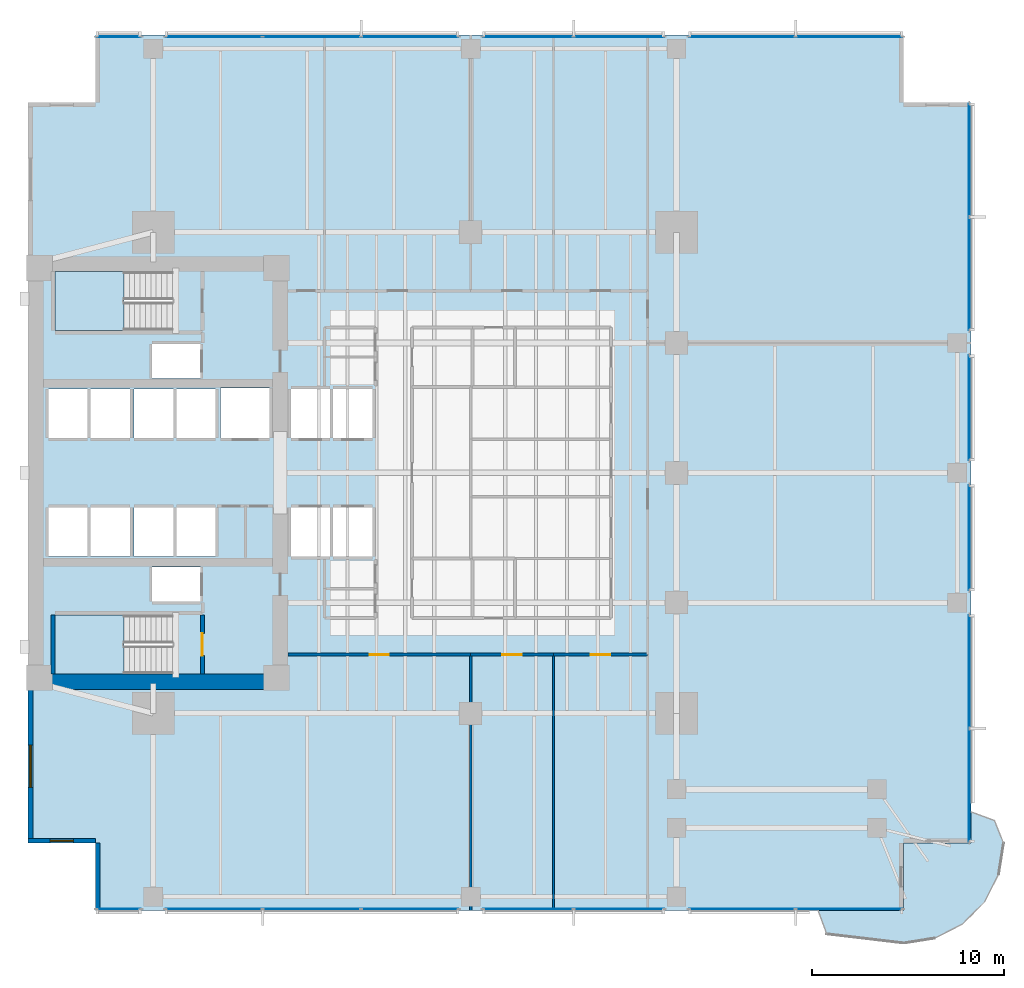
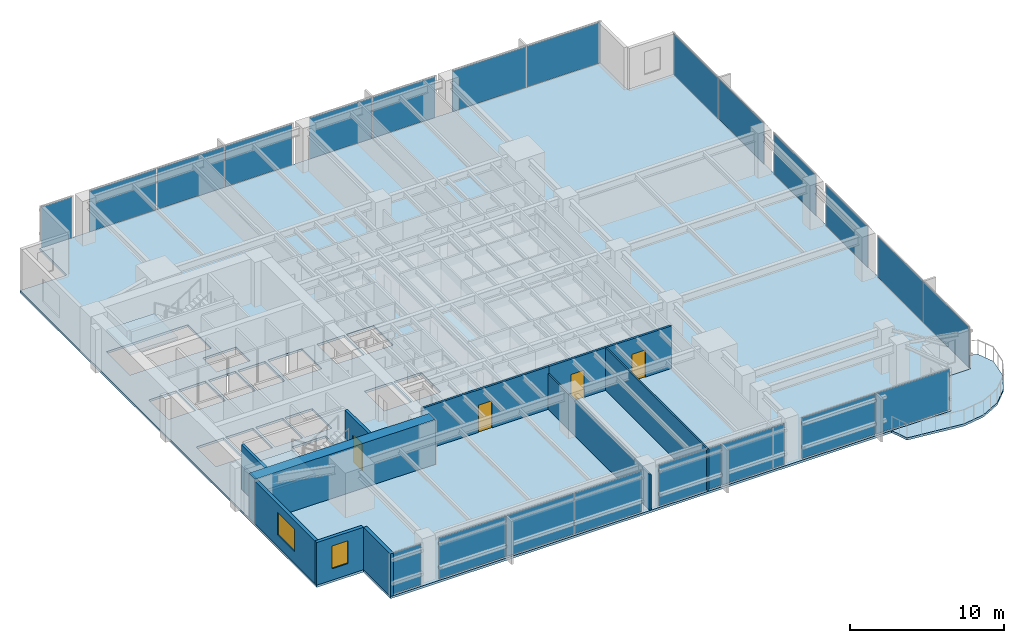
# One storey, part 7 of 15: 22 plates, 11 walls, 4 doors, 4 slabs, 2 windows, 6 openings, 14 elements without a shape of their own.
"""IFC4 building model written with IfcOpenShell, lengths in metres."""

import ifcopenshell
import ifcopenshell.guid

model = None  # the IFC model being written
_history = None  # IfcOwnerHistory: only IFC2X3 demands one
_inside = {}  # id of a spatial element -> (the spatial element, [elements in it])
_under = {}  # id of a project, library or spatial element -> (it, [spatial elements below it])
_declared = {}  # id of a project -> (the project, [libraries it declares])
_typed = {}  # id of a type object -> (the type object, [elements of that type])
_made_of = {}  # id of a material, layer set ... -> (it, [elements and type objects made of it])


def new_model(schema):
    """Start an empty IFC model of exactly this schema.

    Asked for "IFC4X3", IfcOpenShell would pick the latest addendum, in which some entities
    have other attributes; the version numbers below select the first issue.
    IFC2X3 requires an IfcOwnerHistory on every rooted entity: one is made here for all.
    """
    global model, _history
    if schema == "IFC4X3":
        model = ifcopenshell.file(schema_version=(4, 3, 0, 0))
    else:
        model = ifcopenshell.file(schema=schema)
    _inside.clear()
    _under.clear()
    _declared.clear()
    _typed.clear()
    _made_of.clear()
    _history = None
    if model.schema == "IFC2X3":
        org = make("IfcOrganization", Name="unknown")
        user = make(
            "IfcPersonAndOrganization",
            ThePerson=make("IfcPerson", FamilyName="unknown"),
            TheOrganization=org,
        )
        app = make(
            "IfcApplication",
            ApplicationDeveloper=org,
            Version="unknown",
            ApplicationFullName="unknown",
            ApplicationIdentifier="unknown",
        )
        _history = make(
            "IfcOwnerHistory",
            OwningUser=user,
            OwningApplication=app,
            ChangeAction="ADDED",
            CreationDate=0,
        )
    return model


def make(cls, **values):
    """One entity of the class cls with the attributes given. An attribute that is None is left unset."""
    return model.create_entity(
        cls, **{name: value for name, value in values.items() if value is not None}
    )


def rooted(cls, **values):
    """An entity with a GlobalId (a new one), such as an element, a storey or a relation."""
    return make(cls, GlobalId=ifcopenshell.guid.new(), OwnerHistory=_history, **values)


def si_unit(unit_type, name, prefix=None):
    """IfcSIUnit, for example si_unit("LENGTHUNIT", "METRE", prefix="MILLI")."""
    return make("IfcSIUnit", UnitType=unit_type, Prefix=prefix, Name=name)


def assignment(units):
    """IfcUnitAssignment: the units of a project."""
    return None if units is None else make("IfcUnitAssignment", Units=units)


def point(xyz):
    """IfcCartesianPoint."""
    return None if xyz is None else make("IfcCartesianPoint", Coordinates=xyz)


def direction(xyz):
    """IfcDirection."""
    return None if xyz is None else make("IfcDirection", DirectionRatios=xyz)


def frame(location, z_axis=None, x_axis=None):
    """IfcAxis2Placement3D, a coordinate frame: its origin and axes. An axis left out is left unset."""
    return make(
        "IfcAxis2Placement3D",
        Location=point(location),
        Axis=direction(z_axis),
        RefDirection=direction(x_axis),
    )


def frame_2d(location, x_axis=None):
    """IfcAxis2Placement2D, a coordinate frame in the plane: its origin and x axis."""
    return make(
        "IfcAxis2Placement2D", Location=point(location), RefDirection=direction(x_axis)
    )


def origin():
    """The frame at (0, 0, 0) with its axes left unset."""
    return frame((0.0, 0.0, 0.0))


def origin_2d():
    """The frame at (0, 0) in the plane with its x axis left unset."""
    return frame_2d((0.0, 0.0))


def place(relative_to, where):
    """IfcLocalPlacement: puts the frame where relative to a parent placement (None: the world)."""
    return make(
        "IfcLocalPlacement", PlacementRelTo=relative_to, RelativePlacement=where
    )


def context(
    kind, dimensions, precision=None, world=None, true_north=None, identifier=None
):
    """IfcGeometricRepresentationContext, for example the 3D "Model" context."""
    return make(
        "IfcGeometricRepresentationContext",
        ContextIdentifier=identifier,
        ContextType=kind,
        CoordinateSpaceDimension=dimensions,
        Precision=precision,
        WorldCoordinateSystem=world,
        TrueNorth=true_north,
    )


def subcontext(parent, identifier, kind, view, scale=None):
    """IfcGeometricRepresentationSubContext, for example "Body" below "Model"."""
    return make(
        "IfcGeometricRepresentationSubContext",
        ContextIdentifier=identifier,
        ContextType=kind,
        ParentContext=parent,
        TargetScale=scale,
        TargetView=view,
    )


def project(units=None, contexts=None):
    """IfcProject with its units and contexts."""
    return rooted(
        "IfcProject",
        Name="project",
        RepresentationContexts=contexts,
        UnitsInContext=assignment(units),
    )


def spatial(cls, under=None, at=None, **own):
    """A site, building, storey or space (cls), placed at a placement, below another one or the project."""
    s = rooted(cls, ObjectPlacement=at, **own)
    if under is not None:
        _under.setdefault(under.id(), (under, []))[1].append(s)
    return s


def polyline(points):
    """IfcPolyline through the points."""
    return make("IfcPolyline", Points=[point(p) for p in points])


def profile(cls, at=None, kind="AREA", **sizes):
    """A parametric profile (cls). Its sizes go by their IFC names, for example OverallWidth=200.0."""
    return make(cls, ProfileType=kind, Position=at, **sizes)


def rectangle(**sizes):
    """IfcRectangleProfileDef."""
    return profile("IfcRectangleProfileDef", **sizes)


def outline(outer, holes=None, kind="AREA"):
    """IfcArbitraryClosedProfileDef: a profile drawn as a closed curve; with holes, ...WithVoids."""
    if holes is None:
        return make("IfcArbitraryClosedProfileDef", ProfileType=kind, OuterCurve=outer)
    return make(
        "IfcArbitraryProfileDefWithVoids",
        ProfileType=kind,
        OuterCurve=outer,
        InnerCurves=holes,
    )


def extrude(swept, where, along, depth):
    """IfcExtrudedAreaSolid: the profile swept, set in the frame where, extruded along a direction by depth."""
    return make(
        "IfcExtrudedAreaSolid",
        SweptArea=swept,
        Position=where,
        ExtrudedDirection=direction(along),
        Depth=depth,
    )


def shape(context_of_items, identifier, shape_type, items):
    """IfcShapeRepresentation: the items that make up one representation, for example the "Body"."""
    return make(
        "IfcShapeRepresentation",
        ContextOfItems=context_of_items,
        RepresentationIdentifier=identifier,
        RepresentationType=shape_type,
        Items=items,
    )


def material(Name=None, Category=None):
    """IfcMaterial."""
    return make("IfcMaterial", Name=Name, Category=Category)


def layer(
    of_material, thickness, ventilated=None, Name=None, Category=None, Priority=None
):
    """IfcMaterialLayer: one layer of a wall or slab, of a material (None: an air gap)."""
    return make(
        "IfcMaterialLayer",
        Material=of_material,
        LayerThickness=thickness,
        IsVentilated=ventilated,
        Name=Name,
        Category=Category,
        Priority=Priority,
    )


def layer_set(layers, Name=None):
    """IfcMaterialLayerSet."""
    return make("IfcMaterialLayerSet", MaterialLayers=layers, LayerSetName=Name)


def made_of(thing, what):
    """Note that an element or type object is made of a material, layer set ...; save() writes the relation."""
    if what is not None:
        _made_of.setdefault(what.id(), (what, []))[1].append(thing)
    return thing


def type_object(cls, material=None, **own):
    """A type object (cls), such as IfcWallType, which elements share."""
    return made_of(rooted(cls, **own), material)


def element(
    cls,
    number,
    at=None,
    inside=None,
    cuts=None,
    type_object=None,
    material=None,
    context=None,
    identifier="Body",
    shape_type=None,
    held_by="IfcProductDefinitionShape",
    body=None,
    shapes=None,
    **own,
):
    """One element of the class cls, such as IfcWall. Its Tag is "e" and its number.

    at: its placement. inside: the storey or other place that contains it. cuts: it is an
    opening in that element (IfcRelVoidsElement). A single representation is given by context,
    identifier, shape_type and body (its items); several are given by shapes. held_by: the class
    of the entity that holds the representations. save() writes the other relations.
    """
    e = rooted(cls, Tag="e%d" % number, ObjectPlacement=at, **own)
    if body is not None:
        shapes = [shape(context, identifier, shape_type, body)]
    if shapes is not None:
        e.Representation = make(held_by, Representations=shapes)
    if inside is not None:
        _inside.setdefault(inside.id(), (inside, []))[1].append(e)
    if cuts is not None:
        rooted(
            "IfcRelVoidsElement", RelatingBuildingElement=cuts, RelatedOpeningElement=e
        )
    if type_object is not None:
        _typed.setdefault(type_object.id(), (type_object, []))[1].append(e)
    return made_of(e, material)


def fill(opening, filler):
    """IfcRelFillsElement: the door or window that sits in an opening."""
    return rooted(
        "IfcRelFillsElement",
        RelatingOpeningElement=opening,
        RelatedBuildingElement=filler,
    )


def aggregate(whole, parts):
    """IfcRelAggregates: a whole, such as a stair, and the parts it consists of."""
    return rooted("IfcRelAggregates", RelatingObject=whole, RelatedObjects=parts)


def save(model, path):
    """Write the relations noted so far, then the file.

    IfcRelAggregates (storeys below a building ...), IfcRelContainedInSpatialStructure (elements
    in a storey), IfcRelDefinesByType, IfcRelAssociatesMaterial and IfcRelDeclares: one each for
    every whole, place, type object, material and project.
    """
    for whole, parts in _under.values():
        aggregate(whole, parts)
    for where, things in _inside.values():
        rooted(
            "IfcRelContainedInSpatialStructure",
            RelatedElements=things,
            RelatingStructure=where,
        )
    for kind, things in _typed.values():
        rooted("IfcRelDefinesByType", RelatedObjects=things, RelatingType=kind)
    for what, things in _made_of.values():
        rooted("IfcRelAssociatesMaterial", RelatedObjects=things, RelatingMaterial=what)
    for by, libraries in _declared.values():
        rooted("IfcRelDeclares", RelatingContext=by, RelatedDefinitions=libraries)
    model.write(path)


model = new_model("IFC4")

# Units and contexts
model_context = context("Model", 3, precision=1e-05, world=origin(), true_north=direction((0.0, 1.0)))
body_context = subcontext(model_context, "Body", "Model", "MODEL_VIEW")
ifc_project = project(units=[si_unit("LENGTHUNIT", "METRE"), si_unit("AREAUNIT", "SQUARE_METRE"), si_unit("VOLUMEUNIT", "CUBIC_METRE"), si_unit("PLANEANGLEUNIT", "RADIAN"), si_unit("MASSUNIT", "GRAM", prefix="KILO")], contexts=[model_context])

# Site, building, storey
site_placement = place(None, origin())
site = spatial("IfcSite", under=ifc_project, at=site_placement, CompositionType="ELEMENT")
building_placement = place(site_placement, origin())
building = spatial("IfcBuilding", under=site, at=building_placement, Name="Kinhvarn Gate Tower", CompositionType="ELEMENT")
storey_placement = place(building_placement, frame((0.0, 0.0, 68.199951171875)))
storey = spatial("IfcBuildingStorey", under=building, at=storey_placement, Name="L17", CompositionType="ELEMENT", Elevation=68.199951171875)

# Curtain wall, plate
ifc_material_1 = material(Name="Anodised aluminium AW-6063", Category="aluminium")
ifc_layer_1 = layer(ifc_material_1, 0.179931640625)
ifc_layer_set_1 = layer_set([ifc_layer_1], Name="Anodised aluminium AW-6063")
curtain_wall_type = type_object("IfcCurtainWallType", Name="CW-SYS-2", PredefinedType="NOTDEFINED", material=ifc_layer_set_1)
curtain_wall_1_placement = place(storey_placement, origin())
curtain_wall_1 = element("IfcCurtainWall", 1, at=curtain_wall_1_placement, inside=storey, type_object=curtain_wall_type, Name="Curtain Wall CW2 (L17)", PredefinedType="NOTDEFINED")
ifc_material_2 = material(Name="Clear low-e double glazing", Category="glass")
ifc_layer_2 = layer(ifc_material_2, 0.031982421875)
ifc_layer_set_2 = layer_set([ifc_layer_2], Name="Clear low-e double glazing")
plate_type = type_object("IfcPlateType", Name="CW-PNL-VIS", PredefinedType="CURTAIN_PANEL", material=ifc_layer_set_2)
plate_1_placement = place(storey_placement, frame((9.2099609375, 2.590087890625, 0.070068359375), z_axis=(0.0, 0.0, 1.0), x_axis=(1.0, 0.0, 0.0)))
plate_1 = element("IfcPlate", 2, at=plate_1_placement, type_object=plate_type, Name="CW2 panel 1.1", PredefinedType="CURTAIN_PANEL", context=body_context, shape_type="SweptSolid", body=[
    extrude(rectangle(XDim=2.280029296875, YDim=0.031982421875, at=origin_2d()), origin(), (0.0, 0.0, 1.0), 3.22998046875),
])
aggregate(curtain_wall_1, [plate_1])

# Curtain wall, plates
curtain_wall_2_placement = place(storey_placement, origin())
curtain_wall_2 = element("IfcCurtainWall", 3, at=curtain_wall_2_placement, inside=storey, type_object=curtain_wall_type, Name="Curtain Wall CW2 (L17)", PredefinedType="NOTDEFINED")
plate_2_placement = place(storey_placement, frame((14.154052734375, 2.590087890625, 0.070068359375), z_axis=(0.0, 0.0, 1.0), x_axis=(1.0, 0.0, 0.0)))
plate_2 = element("IfcPlate", 4, at=plate_2_placement, type_object=plate_type, Name="CW2 panel 1.1", PredefinedType="CURTAIN_PANEL", context=body_context, shape_type="SweptSolid", body=[
    extrude(rectangle(XDim=5.00830078125, YDim=0.031982421875, at=origin_2d()), origin(), (0.0, 0.0, 1.0), 3.22998046875),
])
plate_3_placement = place(storey_placement, frame((19.25, 2.590087890625, 0.070068359375), z_axis=(0.0, 0.0, 1.0), x_axis=(1.0, 0.0, 0.0)))
plate_3 = element("IfcPlate", 5, at=plate_3_placement, type_object=plate_type, Name="CW2 panel 2.1", PredefinedType="CURTAIN_PANEL", context=body_context, shape_type="SweptSolid", body=[
    extrude(rectangle(XDim=5.043212890625, YDim=0.031982421875, at=origin_2d()), origin(), (0.0, 0.0, 1.0), 3.22998046875),
])
plate_4_placement = place(storey_placement, frame((24.345947265625, 2.590087890625, 0.070068359375), z_axis=(0.0, 0.0, 1.0), x_axis=(1.0, 0.0, 0.0)))
plate_4 = element("IfcPlate", 6, at=plate_4_placement, type_object=plate_type, Name="CW2 panel 3.1", PredefinedType="CURTAIN_PANEL", context=body_context, shape_type="SweptSolid", body=[
    extrude(rectangle(XDim=5.00830078125, YDim=0.031982421875, at=origin_2d()), origin(), (0.0, 0.0, 1.0), 3.22998046875),
])
aggregate(curtain_wall_2, [plate_2, plate_3, plate_4])

curtain_wall_3_placement = place(storey_placement, origin())
curtain_wall_3 = element("IfcCurtainWall", 7, at=curtain_wall_3_placement, inside=storey, type_object=curtain_wall_type, Name="Curtain Wall CW2 (L17)", PredefinedType="NOTDEFINED")
plate_5_placement = place(storey_placement, frame((30.482421875, 2.590087890625, 0.070068359375), z_axis=(0.0, 0.0, 1.0), x_axis=(1.0, 0.0, 0.0)))
plate_5 = element("IfcPlate", 8, at=plate_5_placement, type_object=plate_type, Name="CW2 panel 1.1", PredefinedType="CURTAIN_PANEL", context=body_context, shape_type="SweptSolid", body=[
    extrude(rectangle(XDim=4.6650390625, YDim=0.031982421875, at=origin_2d()), origin(), (0.0, 0.0, 1.0), 3.22998046875),
])
plate_6_placement = place(storey_placement, frame((35.217529296875, 2.590087890625, 0.070068359375), z_axis=(0.0, 0.0, 1.0), x_axis=(1.0, 0.0, 0.0)))
plate_6 = element("IfcPlate", 9, at=plate_6_placement, type_object=plate_type, Name="CW2 panel 2.1", PredefinedType="CURTAIN_PANEL", context=body_context, shape_type="SweptSolid", body=[
    extrude(rectangle(XDim=4.6650390625, YDim=0.031982421875, at=origin_2d()), origin(), (0.0, 0.0, 1.0), 3.22998046875),
])
aggregate(curtain_wall_3, [plate_5, plate_6])

curtain_wall_4_placement = place(storey_placement, origin())
curtain_wall_4 = element("IfcCurtainWall", 10, at=curtain_wall_4_placement, inside=storey, type_object=curtain_wall_type, Name="Curtain Wall CW2 (L17)", PredefinedType="NOTDEFINED")
plate_7_placement = place(storey_placement, frame((41.6025390625, 2.590087890625, 0.070068359375), z_axis=(0.0, 0.0, 1.0), x_axis=(1.0, 0.0, 0.0)))
plate_7 = element("IfcPlate", 11, at=plate_7_placement, type_object=plate_type, Name="CW2 panel 1.1", PredefinedType="CURTAIN_PANEL", context=body_context, shape_type="SweptSolid", body=[
    extrude(rectangle(XDim=5.5048828125, YDim=0.031982421875, at=origin_2d()), origin(), (0.0, 0.0, 1.0), 3.22998046875),
])
plate_8_placement = place(storey_placement, frame((47.177490234375, 2.590087890625, 0.070068359375), z_axis=(0.0, 0.0, 1.0), x_axis=(1.0, 0.0, 0.0)))
plate_8 = element("IfcPlate", 12, at=plate_8_placement, type_object=plate_type, Name="CW2 panel 2.1", PredefinedType="CURTAIN_PANEL", context=body_context, shape_type="SweptSolid", body=[
    extrude(rectangle(XDim=5.5048828125, YDim=0.031982421875, at=origin_2d()), origin(), (0.0, 0.0, 1.0), 3.22998046875),
])
aggregate(curtain_wall_4, [plate_7, plate_8])

curtain_wall_5_placement = place(storey_placement, origin())
curtain_wall_5 = element("IfcCurtainWall", 13, at=curtain_wall_5_placement, inside=storey, type_object=curtain_wall_type, Name="Curtain Wall CW2 (L17)", PredefinedType="NOTDEFINED")
plate_9_placement = place(storey_placement, frame((47.177490234375, 47.909912109375, 0.070068359375), z_axis=(0.0, 0.0, 1.0), x_axis=(-1.0, 0.0, 0.0)))
plate_9 = element("IfcPlate", 14, at=plate_9_placement, type_object=plate_type, Name="CW2 panel 1.1", PredefinedType="CURTAIN_PANEL", context=body_context, shape_type="SweptSolid", body=[
    extrude(rectangle(XDim=5.5048828125, YDim=0.031982421875, at=origin_2d()), origin(), (0.0, 0.0, 1.0), 3.22998046875),
])
plate_10_placement = place(storey_placement, frame((41.6025390625, 47.909912109375, 0.070068359375), z_axis=(0.0, 0.0, 1.0), x_axis=(-1.0, 0.0, 0.0)))
plate_10 = element("IfcPlate", 15, at=plate_10_placement, type_object=plate_type, Name="CW2 panel 2.1", PredefinedType="CURTAIN_PANEL", context=body_context, shape_type="SweptSolid", body=[
    extrude(rectangle(XDim=5.5048828125, YDim=0.031982421875, at=origin_2d()), origin(), (0.0, 0.0, 1.0), 3.22998046875),
])
aggregate(curtain_wall_5, [plate_9, plate_10])

curtain_wall_6_placement = place(storey_placement, origin())
curtain_wall_6 = element("IfcCurtainWall", 16, at=curtain_wall_6_placement, inside=storey, type_object=curtain_wall_type, Name="Curtain Wall CW2 (L17)", PredefinedType="NOTDEFINED")
plate_11_placement = place(storey_placement, frame((35.217529296875, 47.909912109375, 0.070068359375), z_axis=(0.0, 0.0, 1.0), x_axis=(-1.0, 0.0, 0.0)))
plate_11 = element("IfcPlate", 17, at=plate_11_placement, type_object=plate_type, Name="CW2 panel 1.1", PredefinedType="CURTAIN_PANEL", context=body_context, shape_type="SweptSolid", body=[
    extrude(rectangle(XDim=4.6650390625, YDim=0.031982421875, at=origin_2d()), origin(), (0.0, 0.0, 1.0), 3.22998046875),
])
plate_12_placement = place(storey_placement, frame((30.482421875, 47.909912109375, 0.070068359375), z_axis=(0.0, 0.0, 1.0), x_axis=(-1.0, 0.0, 0.0)))
plate_12 = element("IfcPlate", 18, at=plate_12_placement, type_object=plate_type, Name="CW2 panel 2.1", PredefinedType="CURTAIN_PANEL", context=body_context, shape_type="SweptSolid", body=[
    extrude(rectangle(XDim=4.6650390625, YDim=0.031982421875, at=origin_2d()), origin(), (0.0, 0.0, 1.0), 3.22998046875),
])
aggregate(curtain_wall_6, [plate_11, plate_12])

curtain_wall_7_placement = place(storey_placement, origin())
curtain_wall_7 = element("IfcCurtainWall", 19, at=curtain_wall_7_placement, inside=storey, type_object=curtain_wall_type, Name="Curtain Wall CW2 (L17)", PredefinedType="NOTDEFINED")
plate_13_placement = place(storey_placement, frame((24.345947265625, 47.909912109375, 0.070068359375), z_axis=(0.0, 0.0, 1.0), x_axis=(-1.0, 0.0, 0.0)))
plate_13 = element("IfcPlate", 20, at=plate_13_placement, type_object=plate_type, Name="CW2 panel 1.1", PredefinedType="CURTAIN_PANEL", context=body_context, shape_type="SweptSolid", body=[
    extrude(rectangle(XDim=5.00830078125, YDim=0.031982421875, at=origin_2d()), origin(), (0.0, 0.0, 1.0), 3.22998046875),
])
plate_14_placement = place(storey_placement, frame((19.25, 47.909912109375, 0.070068359375), z_axis=(0.0, 0.0, 1.0), x_axis=(-1.0, 0.0, 0.0)))
plate_14 = element("IfcPlate", 21, at=plate_14_placement, type_object=plate_type, Name="CW2 panel 2.1", PredefinedType="CURTAIN_PANEL", context=body_context, shape_type="SweptSolid", body=[
    extrude(rectangle(XDim=5.043212890625, YDim=0.031982421875, at=origin_2d()), origin(), (0.0, 0.0, 1.0), 3.22998046875),
])
plate_15_placement = place(storey_placement, frame((14.154052734375, 47.909912109375, 0.070068359375), z_axis=(0.0, 0.0, 1.0), x_axis=(-1.0, 0.0, 0.0)))
plate_15 = element("IfcPlate", 22, at=plate_15_placement, type_object=plate_type, Name="CW2 panel 3.1", PredefinedType="CURTAIN_PANEL", context=body_context, shape_type="SweptSolid", body=[
    extrude(rectangle(XDim=5.00830078125, YDim=0.031982421875, at=origin_2d()), origin(), (0.0, 0.0, 1.0), 3.22998046875),
])
aggregate(curtain_wall_7, [plate_13, plate_14, plate_15])

# Curtain wall, plate
curtain_wall_8_placement = place(storey_placement, origin())
curtain_wall_8 = element("IfcCurtainWall", 23, at=curtain_wall_8_placement, inside=storey, type_object=curtain_wall_type, Name="Curtain Wall CW2 (L17)", PredefinedType="NOTDEFINED")
plate_16_placement = place(storey_placement, frame((9.2099609375, 47.909912109375, 0.070068359375), z_axis=(0.0, 0.0, 1.0), x_axis=(-1.0, 0.0, 0.0)))
plate_16 = element("IfcPlate", 24, at=plate_16_placement, type_object=plate_type, Name="CW2 panel 1.1", PredefinedType="CURTAIN_PANEL", context=body_context, shape_type="SweptSolid", body=[
    extrude(rectangle(XDim=2.280029296875, YDim=0.031982421875, at=origin_2d()), origin(), (0.0, 0.0, 1.0), 3.22998046875),
])
aggregate(curtain_wall_8, [plate_16])

# Curtain wall, plates
curtain_wall_9_placement = place(storey_placement, origin())
curtain_wall_9 = element("IfcCurtainWall", 25, at=curtain_wall_9_placement, inside=storey, type_object=curtain_wall_type, Name="Curtain Wall CW2 (L17)", PredefinedType="NOTDEFINED")
plate_17_placement = place(storey_placement, frame((53.409912109375, 8.99755859375, 0.070068359375), z_axis=(0.0, 0.0, 1.0), x_axis=(0.0, 1.0, 0.0)))
plate_17 = element("IfcPlate", 26, at=plate_17_placement, type_object=plate_type, Name="CW2 panel 1.1", PredefinedType="CURTAIN_PANEL", context=body_context, shape_type="SweptSolid", body=[
    extrude(rectangle(XDim=5.85498046875, YDim=0.031982421875, at=origin_2d()), origin(), (0.0, 0.0, 1.0), 3.22998046875),
])
plate_18_placement = place(storey_placement, frame((53.409912109375, 14.922607421875, 0.070068359375), z_axis=(0.0, 0.0, 1.0), x_axis=(0.0, 1.0, 0.0)))
plate_18 = element("IfcPlate", 27, at=plate_18_placement, type_object=plate_type, Name="CW2 panel 2.1", PredefinedType="CURTAIN_PANEL", context=body_context, shape_type="SweptSolid", body=[
    extrude(rectangle(XDim=5.85498046875, YDim=0.031982421875, at=origin_2d()), origin(), (0.0, 0.0, 1.0), 3.22998046875),
])
aggregate(curtain_wall_9, [plate_17, plate_18])

# Curtain wall, plate
curtain_wall_10_placement = place(storey_placement, origin())
curtain_wall_10 = element("IfcCurtainWall", 28, at=curtain_wall_10_placement, inside=storey, type_object=curtain_wall_type, Name="Curtain Wall CW2 (L17)", PredefinedType="NOTDEFINED")
plate_19_placement = place(storey_placement, frame((53.409912109375, 21.875, 0.070068359375), z_axis=(0.0, 0.0, 1.0), x_axis=(0.0, 1.0, 0.0)))
plate_19 = element("IfcPlate", 29, at=plate_19_placement, type_object=plate_type, Name="CW2 panel 1.1", PredefinedType="CURTAIN_PANEL", context=body_context, shape_type="SweptSolid", body=[
    extrude(rectangle(XDim=5.449951171875, YDim=0.031982421875, at=origin_2d()), origin(), (0.0, 0.0, 1.0), 3.22998046875),
])
aggregate(curtain_wall_10, [plate_19])

curtain_wall_11_placement = place(storey_placement, origin())
curtain_wall_11 = element("IfcCurtainWall", 30, at=curtain_wall_11_placement, inside=storey, type_object=curtain_wall_type, Name="Curtain Wall CW2 (L17)", PredefinedType="NOTDEFINED")
plate_20_placement = place(storey_placement, frame((53.409912109375, 28.625, 0.070068359375), z_axis=(0.0, 0.0, 1.0), x_axis=(0.0, 1.0, 0.0)))
plate_20 = element("IfcPlate", 31, at=plate_20_placement, type_object=plate_type, Name="CW2 panel 1.1", PredefinedType="CURTAIN_PANEL", context=body_context, shape_type="SweptSolid", body=[
    extrude(rectangle(XDim=5.449951171875, YDim=0.031982421875, at=origin_2d()), origin(), (0.0, 0.0, 1.0), 3.22998046875),
])
aggregate(curtain_wall_11, [plate_20])

# Curtain wall, plates
curtain_wall_12_placement = place(storey_placement, origin())
curtain_wall_12 = element("IfcCurtainWall", 32, at=curtain_wall_12_placement, inside=storey, type_object=curtain_wall_type, Name="Curtain Wall CW2 (L17)", PredefinedType="NOTDEFINED")
plate_21_placement = place(storey_placement, frame((53.409912109375, 35.577392578125, 0.070068359375), z_axis=(0.0, 0.0, 1.0), x_axis=(0.0, 1.0, 0.0)))
plate_21 = element("IfcPlate", 33, at=plate_21_placement, type_object=plate_type, Name="CW2 panel 1.1", PredefinedType="CURTAIN_PANEL", context=body_context, shape_type="SweptSolid", body=[
    extrude(rectangle(XDim=5.85498046875, YDim=0.031982421875, at=origin_2d()), origin(), (0.0, 0.0, 1.0), 3.22998046875),
])
plate_22_placement = place(storey_placement, frame((53.409912109375, 41.50244140625, 0.070068359375), z_axis=(0.0, 0.0, 1.0), x_axis=(0.0, 1.0, 0.0)))
plate_22 = element("IfcPlate", 34, at=plate_22_placement, type_object=plate_type, Name="CW2 panel 2.1", PredefinedType="CURTAIN_PANEL", context=body_context, shape_type="SweptSolid", body=[
    extrude(rectangle(XDim=5.85498046875, YDim=0.031982421875, at=origin_2d()), origin(), (0.0, 0.0, 1.0), 3.22998046875),
])
aggregate(curtain_wall_12, [plate_21, plate_22])

# Slabs
ifc_material_3 = material(Name="Precast white architectural concrete C40/50", Category="concrete")
ifc_layer_3 = layer(ifc_material_3, 0.179931640625)
ifc_layer_set_3 = layer_set([ifc_layer_3], Name="Precast white architectural concrete C40/50")
slab_type_1 = type_object("IfcSlabType", Name="SLB-BAL-180", PredefinedType="FLOOR", material=ifc_layer_set_3)
slab_1_placement = place(storey_placement, frame((0.0, 0.0, -0.179931640625)))
element("IfcSlab", 35, at=slab_1_placement, inside=storey, type_object=slab_type_1, Name="S-Carve Curved Terrace Balcony Slab L17 (SE)", PredefinedType="FLOOR", context=body_context, shape_type="SweptSolid", body=[
    extrude(outline(polyline([(45.554931640625, 2.5), (46.0048828125, 1.283203125), (50.0, 0.81005859375), (51.603759765625, 1.06396484375), (53.050537109375, 1.80126953125), (54.19873046875, 2.949462890625), (54.93603515625, 4.396240234375), (55.18994140625, 6.0), (54.716796875, 7.178955078125), (53.5, 7.62890625), (53.5, 6.0), (50.0, 6.0), (50.0, 2.5), (45.554931640625, 2.5)])), origin(), (0.0, 0.0, 1.0), 0.179931640625),
])
ifc_material_4 = material(Name="Concrete C40/50", Category="concrete")
ifc_layer_4 = layer(ifc_material_4, 0.179931640625)
ifc_layer_set_4 = layer_set([ifc_layer_4], Name="Concrete C40/50")
slab_type_2 = type_object("IfcSlabType", Name="SLB-FLR-180", PredefinedType="FLOOR", material=ifc_layer_set_4)
slab_2_placement = place(storey_placement, frame((0.0, 0.0, -0.179931640625)))
element("IfcSlab", 36, at=slab_2_placement, inside=storey, type_object=slab_type_2, Name="Suspended Floor Slab L17", PredefinedType="FLOOR", context=body_context, shape_type="SweptSolid", body=[
    extrude(outline(polyline([(8.0, 2.5), (50.0, 2.5), (50.0, 6.0), (53.5, 6.0), (53.5, 44.5), (50.0, 44.5), (50.0, 48.0), (8.0, 48.0), (8.0, 44.5), (4.5, 44.5), (4.5, 6.0), (8.0, 6.0), (8.0, 2.5)]), holes=[polyline([(5.89990234375, 14.800048828125), (12.0, 14.800048828125), (12.0, 17.85009765625), (5.89990234375, 17.85009765625), (5.89990234375, 14.800048828125)]), polyline([(5.89990234375, 32.64990234375), (12.0, 32.64990234375), (12.0, 35.699951171875), (5.89990234375, 35.699951171875), (5.89990234375, 32.64990234375)]), polyline([(18.14990234375, 20.89990234375), (20.199951171875, 20.89990234375), (20.199951171875, 23.449951171875), (18.14990234375, 23.449951171875), (18.14990234375, 20.89990234375)]), polyline([(20.35009765625, 20.89990234375), (22.39990234375, 20.89990234375), (22.39990234375, 23.449951171875), (20.35009765625, 23.449951171875), (20.35009765625, 20.89990234375)]), polyline([(18.14990234375, 27.050048828125), (20.199951171875, 27.050048828125), (20.199951171875, 29.60009765625), (18.14990234375, 29.60009765625), (18.14990234375, 27.050048828125)]), polyline([(20.35009765625, 27.050048828125), (22.39990234375, 27.050048828125), (22.39990234375, 29.60009765625), (20.35009765625, 29.60009765625), (20.35009765625, 27.050048828125)]), polyline([(5.550048828125, 20.89990234375), (7.60009765625, 20.89990234375), (7.60009765625, 23.449951171875), (5.550048828125, 23.449951171875), (5.550048828125, 20.89990234375)]), polyline([(7.75, 20.89990234375), (9.800048828125, 20.89990234375), (9.800048828125, 23.449951171875), (7.75, 23.449951171875), (7.75, 20.89990234375)]), polyline([(5.550048828125, 27.050048828125), (7.60009765625, 27.050048828125), (7.60009765625, 29.60009765625), (5.550048828125, 29.60009765625), (5.550048828125, 27.050048828125)]), polyline([(7.75, 27.050048828125), (9.800048828125, 27.050048828125), (9.800048828125, 29.60009765625), (7.75, 29.60009765625), (7.75, 27.050048828125)]), polyline([(10.0, 20.89990234375), (12.050048828125, 20.89990234375), (12.050048828125, 23.449951171875), (10.0, 23.449951171875), (10.0, 20.89990234375)]), polyline([(12.199951171875, 20.89990234375), (14.25, 20.89990234375), (14.25, 23.449951171875), (12.199951171875, 23.449951171875), (12.199951171875, 20.89990234375)]), polyline([(10.0, 27.050048828125), (12.050048828125, 27.050048828125), (12.050048828125, 29.60009765625), (10.0, 29.60009765625), (10.0, 27.050048828125)]), polyline([(12.199951171875, 27.050048828125), (14.25, 27.050048828125), (14.25, 29.60009765625), (12.199951171875, 29.60009765625), (12.199951171875, 27.050048828125)]), polyline([(14.5, 27.050048828125), (17.050048828125, 27.050048828125), (17.050048828125, 29.64990234375), (14.5, 29.64990234375), (14.5, 27.050048828125)]), polyline([(10.949951171875, 18.550048828125), (13.449951171875, 18.550048828125), (13.449951171875, 20.35009765625), (10.949951171875, 20.35009765625), (10.949951171875, 18.550048828125)]), polyline([(10.949951171875, 30.14990234375), (13.449951171875, 30.14990234375), (13.449951171875, 31.949951171875), (10.949951171875, 31.949951171875), (10.949951171875, 30.14990234375)])]), origin(), (0.0, 0.0, 1.0), 0.179931640625),
])

# Stair, slab
stair_type = type_object("IfcStairType", Name="STR-DLG-177", PredefinedType="HALF_TURN_STAIR", material=ifc_material_4)
stair_1_placement = place(storey_placement, origin())
stair_1 = element("IfcStair", 37, at=stair_1_placement, inside=storey, type_object=stair_type, Name="L17 Core Smokeproof Exit Stair ST1", PredefinedType="HALF_TURN_STAIR")
ifc_layer_5 = layer(ifc_material_4, 0.199951171875)
ifc_layer_set_5 = layer_set([ifc_layer_5], Name="Concrete C40/50")
slab_type_3 = type_object("IfcSlabType", Name="SLB-ST-LND", PredefinedType="LANDING", material=ifc_layer_set_5)
slab_3_placement = place(storey_placement, frame((0.0, 0.0, 1.574951171875)))
slab_3 = element("IfcSlab", 38, at=slab_3_placement, type_object=slab_type_3, Name="ST1 landing 1", PredefinedType="LANDING", context=body_context, shape_type="SweptSolid", body=[
    extrude(outline(polyline([(9.47998046875, 17.85009765625), (5.89990234375, 17.85009765625), (5.89990234375, 14.800048828125), (9.47998046875, 14.800048828125), (9.47998046875, 17.85009765625)])), origin(), (0.0, 0.0, 1.0), 0.2001953125),
])
aggregate(stair_1, [slab_3])

stair_2_placement = place(storey_placement, origin())
stair_2 = element("IfcStair", 39, at=stair_2_placement, inside=storey, type_object=stair_type, Name="L17 Core Smokeproof Exit Stair ST2", PredefinedType="HALF_TURN_STAIR")
slab_4_placement = place(storey_placement, frame((0.0, 0.0, 1.574951171875)))
slab_4 = element("IfcSlab", 40, at=slab_4_placement, type_object=slab_type_3, Name="ST2 landing 1", PredefinedType="LANDING", context=body_context, shape_type="SweptSolid", body=[
    extrude(outline(polyline([(9.47998046875, 35.699951171875), (5.89990234375, 35.699951171875), (5.89990234375, 32.64990234375), (9.47998046875, 32.64990234375), (9.47998046875, 35.699951171875)])), origin(), (0.0, 0.0, 1.0), 0.2001953125),
])
aggregate(stair_2, [slab_4])

# Wall
ifc_material_5 = material(Name="Concrete C70/85", Category="concrete")
ifc_layer_6 = layer(ifc_material_5, 0.800048828125)
ifc_layer_set_6 = layer_set([ifc_layer_6], Name="Concrete C70/85")
wall_type_1 = type_object("IfcWallType", Name="WL-CORE-800", PredefinedType="SHEAR", material=ifc_layer_set_6)
wall_1_placement = place(storey_placement, frame((4.5, 14.39990234375, 0.0), z_axis=(0.0, 0.0, 1.0), x_axis=(1.0, 0.0, 0.0)))
element("IfcWall", 41, at=wall_1_placement, inside=storey, type_object=wall_type_1, Name="Core South Shear Wall L17 800 mm", PredefinedType="SHEAR", context=body_context, shape_type="SweptSolid", body=[
    extrude(rectangle(XDim=13.5, YDim=0.800048828125, at=frame_2d((6.75, 0.0))), origin(), (0.0, 0.0, 1.0), 3.550048828125),
])

# Wall, opening, window
ifc_material_6 = material(Name="Fired architectural terracotta", Category="masonry")
ifc_layer_7 = layer(ifc_material_6, 0.25)
ifc_layer_set_7 = layer_set([ifc_layer_7], Name="Fired architectural terracotta")
wall_type_2 = type_object("IfcWallType", Name="WL-EXT-250", PredefinedType="SOLIDWALL", material=ifc_layer_set_7)
wall_2_placement = place(storey_placement, frame((4.625, 14.0, 0.0), z_axis=(0.0, 0.0, 1.0), x_axis=(0.0, -1.0, 0.0)))
wall_2 = element("IfcWall", 42, at=wall_2_placement, inside=storey, type_object=wall_type_2, Name="Exterior Solidwall Wall EW-250 (L17 West-South)", PredefinedType="SOLIDWALL", context=body_context, shape_type="SweptSolid", body=[
    extrude(rectangle(XDim=8.0, YDim=0.25, at=frame_2d((4.0, 0.0))), origin(), (0.0, 0.0, 1.0), 3.3701171875),
])
opening_1_placement = place(wall_2_placement, frame((2.89990234375, 0.0, 0.89990234375)))
opening_1 = element("IfcOpeningElement", 43, at=opening_1_placement, cuts=wall_2, Name="Opening WN-01", PredefinedType="OPENING", context=body_context, shape_type="SweptSolid", body=[
    extrude(rectangle(XDim=2.199951171875, YDim=1.800048828125, at=frame_2d((1.10009765625, 0.89990234375))), frame((0.0, 0.135009765625, 0.0), z_axis=(0.0, -1.0, 0.0), x_axis=(1.0, 0.0, 0.0)), (0.0, 0.0, 1.0), 0.27001953125),
])
window_type_1 = type_object("IfcWindowType", Name="WIN-RIB-2200", PartitioningType="SINGLE_PANEL", PredefinedType="WINDOW", material=ifc_material_2)
window_1_placement = place(opening_1_placement, origin())
window_1 = element("IfcWindow", 44, at=window_1_placement, inside=storey, type_object=window_type_1, Name="West Flank Double-Glazed Ribbon Window 2200x1800 mm (L17)", OverallHeight=1.800048828125, OverallWidth=2.199951171875, PartitioningType="SINGLE_PANEL", PredefinedType="WINDOW", context=body_context, shape_type="SweptSolid", body=[
    extrude(rectangle(XDim=2.199951171875, YDim=1.800048828125, at=frame_2d((1.10009765625, 0.89990234375))), frame((0.0, 0.030029296875, 0.0), z_axis=(0.0, -1.0, 0.0), x_axis=(1.0, 0.0, 0.0)), (0.0, 0.0, 1.0), 0.06005859375),
])
fill(opening_1, window_1)

wall_3_placement = place(storey_placement, frame((4.5, 6.125, 0.0), z_axis=(0.0, 0.0, 1.0), x_axis=(1.0, 0.0, 0.0)))
wall_3 = element("IfcWall", 45, at=wall_3_placement, inside=storey, type_object=wall_type_2, Name="Exterior Solidwall Wall EW-250 (L17 SW-Notch-1)", PredefinedType="SOLIDWALL", context=body_context, shape_type="SweptSolid", body=[
    extrude(rectangle(XDim=3.5, YDim=0.25, at=frame_2d((1.75, 0.0))), origin(), (0.0, 0.0, 1.0), 3.3701171875),
])
opening_2_placement = place(wall_3_placement, frame((1.14990234375, 0.0, 0.89990234375)))
opening_2 = element("IfcOpeningElement", 46, at=opening_2_placement, cuts=wall_3, Name="Opening WN-02", PredefinedType="OPENING", context=body_context, shape_type="SweptSolid", body=[
    extrude(rectangle(XDim=1.199951171875, YDim=1.800048828125, at=frame_2d((0.60009765625, 0.89990234375))), frame((0.0, 0.135009765625, 0.0), z_axis=(0.0, -1.0, 0.0), x_axis=(1.0, 0.0, 0.0)), (0.0, 0.0, 1.0), 0.27001953125),
])
window_type_2 = type_object("IfcWindowType", Name="WIN-NTC-1200", PartitioningType="SINGLE_PANEL", PredefinedType="WINDOW", material=ifc_material_2)
window_2_placement = place(opening_2_placement, origin())
window_2 = element("IfcWindow", 47, at=window_2_placement, inside=storey, type_object=window_type_2, Name="Recessed Corner Notch Punched Window 1200x1800 mm (L17)", OverallHeight=1.800048828125, OverallWidth=1.199951171875, PartitioningType="SINGLE_PANEL", PredefinedType="WINDOW", context=body_context, shape_type="SweptSolid", body=[
    extrude(rectangle(XDim=1.199951171875, YDim=1.800048828125, at=frame_2d((0.60009765625, 0.89990234375))), frame((0.0, 0.030029296875, 0.0), z_axis=(0.0, -1.0, 0.0), x_axis=(1.0, 0.0, 0.0)), (0.0, 0.0, 1.0), 0.06005859375),
])
fill(opening_2, window_2)

# Walls
wall_4_placement = place(storey_placement, frame((8.125, 6.0, 0.0), z_axis=(0.0, 0.0, 1.0), x_axis=(0.0, -1.0, 0.0)))
element("IfcWall", 48, at=wall_4_placement, inside=storey, type_object=wall_type_2, Name="Exterior Solidwall Wall EW-250 (L17 SW-Notch-2)", PredefinedType="SOLIDWALL", context=body_context, shape_type="SweptSolid", body=[
    extrude(rectangle(XDim=3.5, YDim=0.25, at=frame_2d((1.75, 0.0))), origin(), (0.0, 0.0, 1.0), 3.3701171875),
])
ifc_material_7 = material(Name="Gypsum acoustic partition board")
ifc_layer_8 = layer(ifc_material_7, 0.1201171875)
ifc_layer_set_8 = layer_set([ifc_layer_8], Name="Gypsum acoustic partition board")
wall_type_3 = type_object("IfcWallType", Name="WL-PRT-120", PredefinedType="PARTITIONING", material=ifc_layer_set_8)
wall_5_placement = place(storey_placement, frame((27.5, 2.510009765625, 0.0), z_axis=(0.0, 0.0, 1.0), x_axis=(0.0, 1.0, 0.0)))
element("IfcWall", 49, at=wall_5_placement, inside=storey, type_object=wall_type_3, Name="Interior Partition PW-120 (L17)", PredefinedType="PARTITIONING", context=body_context, shape_type="SweptSolid", body=[
    extrude(rectangle(XDim=13.2900390625, YDim=0.1201171875, at=frame_2d((6.64501953125, 0.0))), origin(), (0.0, 0.0, 1.0), 2.820068359375),
])
wall_6_placement = place(storey_placement, frame((31.800048828125, 2.510009765625, 0.0), z_axis=(0.0, 0.0, 1.0), x_axis=(0.0, 1.0, 0.0)))
element("IfcWall", 50, at=wall_6_placement, inside=storey, type_object=wall_type_3, Name="Interior Partition PW-120 (L17)", PredefinedType="PARTITIONING", context=body_context, shape_type="SweptSolid", body=[
    extrude(rectangle(XDim=13.2900390625, YDim=0.1201171875, at=frame_2d((6.64501953125, 0.0))), origin(), (0.0, 0.0, 1.0), 3.3701171875),
])

# Wall, opening, door
ifc_layer_9 = layer(ifc_material_7, 0.14990234375)
ifc_layer_set_9 = layer_set([ifc_layer_9], Name="Gypsum acoustic partition board")
wall_type_4 = type_object("IfcWallType", Name="WL-PRT-150F", PredefinedType="PARTITIONING", material=ifc_layer_set_9)
wall_7_placement = place(storey_placement, frame((18.0, 15.800048828125, 0.0), z_axis=(0.0, 0.0, 1.0), x_axis=(1.0, 0.0, 0.0)))
wall_7 = element("IfcWall", 51, at=wall_7_placement, inside=storey, type_object=wall_type_4, Name="Interior Partition PW-150F (L17)", PredefinedType="PARTITIONING", context=body_context, shape_type="SweptSolid", body=[
    extrude(rectangle(XDim=9.5, YDim=0.14990234375, at=frame_2d((4.75, 0.0))), origin(), (0.0, 0.0, 1.0), 3.3701171875),
])
opening_3_placement = place(wall_7_placement, frame((4.25, 0.0, 0.0)))
opening_3 = element("IfcOpeningElement", 52, at=opening_3_placement, cuts=wall_7, Name="Opening ID-02", PredefinedType="OPENING", context=body_context, shape_type="SweptSolid", body=[
    extrude(rectangle(XDim=1.0, YDim=2.14990234375, at=frame_2d((0.5, 1.074951171875))), frame((0.0, 0.0849609375, 0.0), z_axis=(0.0, -1.0, 0.0), x_axis=(1.0, 0.0, 0.0)), (0.0, 0.0, 1.0), 0.169921875),
])
door_type_1 = type_object("IfcDoorType", Name="DR-INT-1000", OperationType="NOTDEFINED", PredefinedType="DOOR", material=ifc_material_1)
door_1_placement = place(opening_3_placement, origin())
door_1 = element("IfcDoor", 53, at=door_1_placement, inside=storey, type_object=door_type_1, Name="Standard Office & Meeting Room Door 1000x2150 mm (L17)", OperationType="SINGLE_SWING_RIGHT", OverallHeight=2.14990234375, OverallWidth=1.0, PredefinedType="DOOR", context=body_context, shape_type="SweptSolid", body=[
    extrude(rectangle(XDim=1.0, YDim=2.14990234375, at=frame_2d((0.5, 1.074951171875))), frame((0.0, 0.02490234375, 0.0), z_axis=(0.0, -1.0, 0.0), x_axis=(1.0, 0.0, 0.0)), (0.0, 0.0, 1.0), 0.050048828125),
])
fill(opening_3, door_1)

wall_8_placement = place(storey_placement, frame((27.5, 15.800048828125, 0.0), z_axis=(0.0, 0.0, 1.0), x_axis=(1.0, 0.0, 0.0)))
wall_8 = element("IfcWall", 54, at=wall_8_placement, inside=storey, type_object=wall_type_4, Name="Interior Partition PW-150F (L17)", PredefinedType="PARTITIONING", context=body_context, shape_type="SweptSolid", body=[
    extrude(rectangle(XDim=4.300048828125, YDim=0.14990234375, at=frame_2d((2.14990234375, 0.0))), origin(), (0.0, 0.0, 1.0), 3.3701171875),
])
opening_4_placement = place(wall_8_placement, frame((1.64990234375, 0.0, 0.0)))
opening_4 = element("IfcOpeningElement", 55, at=opening_4_placement, cuts=wall_8, Name="Opening ID-02", PredefinedType="OPENING", context=body_context, shape_type="SweptSolid", body=[
    extrude(rectangle(XDim=1.0, YDim=2.14990234375, at=frame_2d((0.5, 1.074951171875))), frame((0.0, 0.0849609375, 0.0), z_axis=(0.0, -1.0, 0.0), x_axis=(1.0, 0.0, 0.0)), (0.0, 0.0, 1.0), 0.169921875),
])
door_2_placement = place(opening_4_placement, origin())
door_2 = element("IfcDoor", 56, at=door_2_placement, inside=storey, type_object=door_type_1, Name="Standard Office & Meeting Room Door 1000x2150 mm (L17)", OperationType="SINGLE_SWING_LEFT", OverallHeight=2.14990234375, OverallWidth=1.0, PredefinedType="DOOR", context=body_context, shape_type="SweptSolid", body=[
    extrude(rectangle(XDim=1.0, YDim=2.14990234375, at=frame_2d((0.5, 1.074951171875))), frame((0.0, 0.02490234375, 0.0), z_axis=(0.0, -1.0, 0.0), x_axis=(1.0, 0.0, 0.0)), (0.0, 0.0, 1.0), 0.050048828125),
])
fill(opening_4, door_2)

wall_9_placement = place(storey_placement, frame((31.800048828125, 15.800048828125, 0.0), z_axis=(0.0, 0.0, 1.0), x_axis=(1.0, 0.0, 0.0)))
wall_9 = element("IfcWall", 57, at=wall_9_placement, inside=storey, type_object=wall_type_4, Name="Interior Partition PW-150F (L17)", PredefinedType="PARTITIONING", context=body_context, shape_type="SweptSolid", body=[
    extrude(rectangle(XDim=4.89990234375, YDim=0.14990234375, at=frame_2d((2.449951171875, 0.0))), origin(), (0.0, 0.0, 1.0), 3.3701171875),
])
opening_5_placement = place(wall_9_placement, frame((1.949951171875, 0.0, 0.0)))
opening_5 = element("IfcOpeningElement", 58, at=opening_5_placement, cuts=wall_9, Name="Opening ID-02", PredefinedType="OPENING", context=body_context, shape_type="SweptSolid", body=[
    extrude(rectangle(XDim=1.0, YDim=2.14990234375, at=frame_2d((0.5, 1.074951171875))), frame((0.0, 0.0849609375, 0.0), z_axis=(0.0, -1.0, 0.0), x_axis=(1.0, 0.0, 0.0)), (0.0, 0.0, 1.0), 0.169921875),
])
door_3_placement = place(opening_5_placement, origin())
door_3 = element("IfcDoor", 59, at=door_3_placement, inside=storey, type_object=door_type_1, Name="Standard Office & Meeting Room Door 1000x2150 mm (L17)", OperationType="SINGLE_SWING_RIGHT", OverallHeight=2.14990234375, OverallWidth=1.0, PredefinedType="DOOR", context=body_context, shape_type="SweptSolid", body=[
    extrude(rectangle(XDim=1.0, YDim=2.14990234375, at=frame_2d((0.5, 1.074951171875))), frame((0.0, 0.02490234375, 0.0), z_axis=(0.0, -1.0, 0.0), x_axis=(1.0, 0.0, 0.0)), (0.0, 0.0, 1.0), 0.050048828125),
])
fill(opening_5, door_3)

# Wall
ifc_layer_10 = layer(ifc_material_4, 0.199951171875)
ifc_layer_set_10 = layer_set([ifc_layer_10], Name="Concrete C40/50")
wall_type_5 = type_object("IfcWallType", Name="WL-SHF-200", PredefinedType="SOLIDWALL", material=ifc_layer_set_10)
wall_10_placement = place(storey_placement, frame((5.7900390625, 14.800048828125, 0.0), z_axis=(0.0, 0.0, 1.0), x_axis=(0.0, 1.0, 0.0)))
element("IfcWall", 60, at=wall_10_placement, inside=storey, type_object=wall_type_5, Name="Stair ST1 West Shaft Wall (L17)", PredefinedType="SOLIDWALL", context=body_context, shape_type="SweptSolid", body=[
    extrude(rectangle(XDim=3.050048828125, YDim=0.199951171875, at=frame_2d((1.52490234375, 0.0))), origin(), (0.0, 0.0, 1.0), 3.550048828125),
])

# Wall, opening, door
wall_11_placement = place(storey_placement, frame((13.56005859375, 14.800048828125, 0.0), z_axis=(0.0, 0.0, 1.0), x_axis=(0.0, 1.0, 0.0)))
wall_11 = element("IfcWall", 61, at=wall_11_placement, inside=storey, type_object=wall_type_5, Name="Stair ST1 East Entry Wall (L17)", PredefinedType="SOLIDWALL", context=body_context, shape_type="SweptSolid", body=[
    extrude(rectangle(XDim=3.050048828125, YDim=0.199951171875, at=frame_2d((1.52490234375, 0.0))), origin(), (0.0, 0.0, 1.0), 3.550048828125),
])
opening_6_placement = place(wall_11_placement, frame((0.949951171875, 0.0, 0.0)))
opening_6 = element("IfcOpeningElement", 62, at=opening_6_placement, cuts=wall_11, Name="Opening FD-01", PredefinedType="OPENING", context=body_context, shape_type="SweptSolid", body=[
    extrude(rectangle(XDim=1.14990234375, YDim=2.14990234375, at=frame_2d((0.574951171875, 1.074951171875))), frame((0.0, 0.10986328125, 0.0), z_axis=(0.0, -1.0, 0.0), x_axis=(1.0, 0.0, 0.0)), (0.0, 0.0, 1.0), 0.219970703125),
])
door_type_2 = type_object("IfcDoorType", Name="DR-ST-1150", OperationType="NOTDEFINED", PredefinedType="DOOR", material=ifc_material_1)
door_4_placement = place(opening_6_placement, origin())
door_4 = element("IfcDoor", 63, at=door_4_placement, inside=storey, type_object=door_type_2, Name="Exit Stair ST1 Fire Door (L17)", OperationType="SINGLE_SWING_LEFT", OverallHeight=2.14990234375, OverallWidth=1.14990234375, PredefinedType="DOOR", context=body_context, shape_type="SweptSolid", body=[
    extrude(rectangle(XDim=1.14990234375, YDim=2.14990234375, at=frame_2d((0.574951171875, 1.074951171875))), frame((0.0, 0.02490234375, 0.0), z_axis=(0.0, -1.0, 0.0), x_axis=(1.0, 0.0, 0.0)), (0.0, 0.0, 1.0), 0.050048828125),
])
fill(opening_6, door_4)

save(model, "model.ifc")
